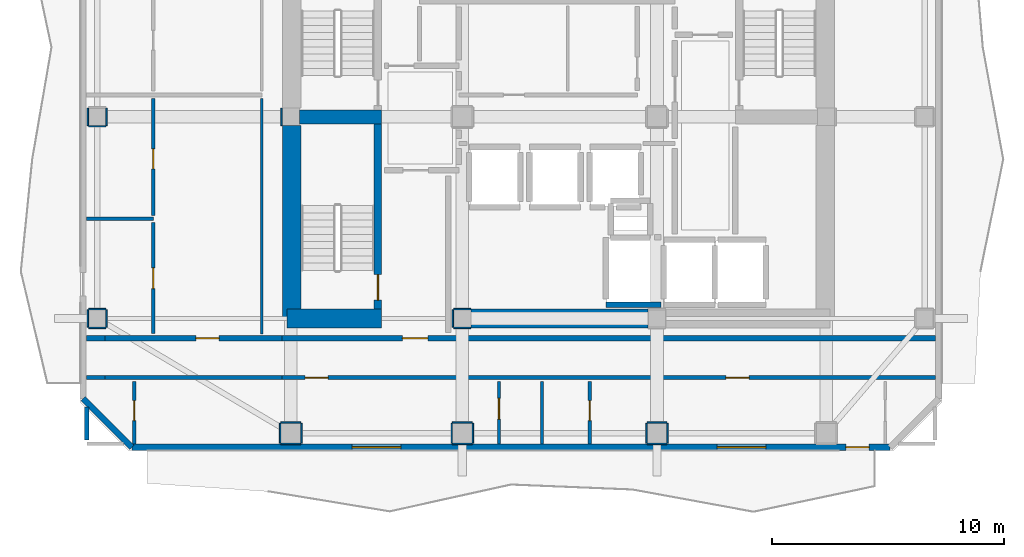
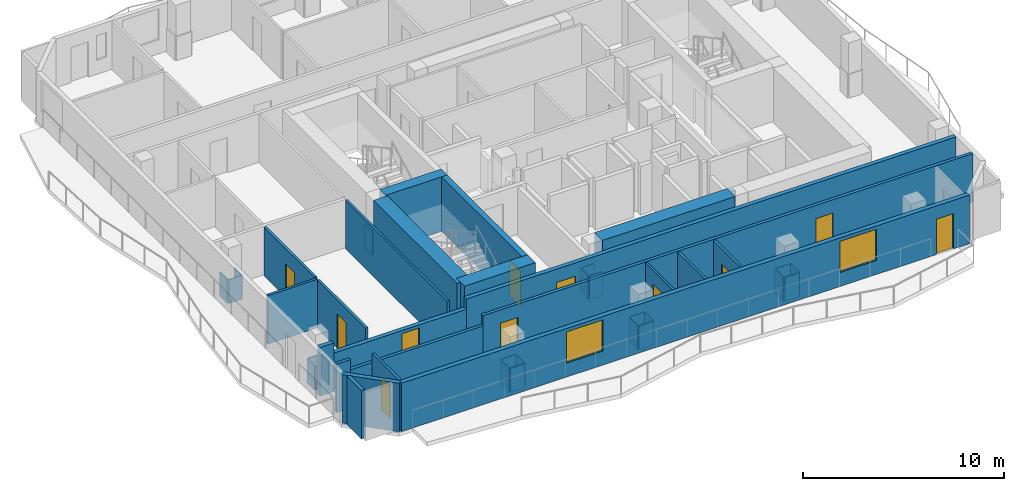
# One storey, part 2 of 10: 46 walls, 11 doors, 2 windows, 13 openings.
"""IFC4 building model written with IfcOpenShell, lengths in metres."""

from ifc_helpers import new_model, si_unit, direction, frame, frame_2d, origin, place, context, subcontext, project, spatial, rectangle, extrude, material, layer, layer_set, type_object, element, fill, save


model = new_model("IFC4")

# Units and contexts
model_context = context("Model", 3, precision=1e-05, world=origin(), true_north=direction((0.0, 1.0)))
body_context = subcontext(model_context, "Body", "Model", "MODEL_VIEW")
ifc_project = project(units=[si_unit("LENGTHUNIT", "METRE"), si_unit("AREAUNIT", "SQUARE_METRE"), si_unit("VOLUMEUNIT", "CUBIC_METRE"), si_unit("PLANEANGLEUNIT", "RADIAN"), si_unit("MASSUNIT", "GRAM", prefix="KILO")], contexts=[model_context])

# Site, building, storey
site_placement = place(None, origin())
site = spatial("IfcSite", under=ifc_project, at=site_placement, CompositionType="ELEMENT")
building_placement = place(site_placement, origin())
building = spatial("IfcBuilding", under=site, at=building_placement, Name="Solanera Arch Residences", CompositionType="ELEMENT")
storey_placement = place(building_placement, frame((0.0, 0.0, 254.52001953125)))
storey = spatial("IfcBuildingStorey", under=building, at=storey_placement, Name="L74", CompositionType="ELEMENT", Elevation=254.52001953125)

# Walls
ifc_material_1 = material(Name="Fire-Rated Gypsum Stud Partition", Category="gypsum")
ifc_layer_1 = layer(ifc_material_1, 0.06005859375)
ifc_layer_set_1 = layer_set([ifc_layer_1], Name="Fire-Rated Gypsum Stud Partition")
wall_type_1 = type_object("IfcWallType", Name="Column Acoustic Furring Wall 60", PredefinedType="PARTITIONING", material=ifc_layer_set_1)
for number, where, z_axis, x_axis, name in (
    (1, (20.425048828125, 21.593017578125, 0.0), (0.0, 0.0, 1.0), (1.0, 0.0, 0.0), "L74 Column Furring 1S"),
    (2, (20.425048828125, 22.406982421875, 0.0), (0.0, 0.0, 1.0), (1.0, 0.0, 0.0), "L74 Column Furring 1N"),
):
    element("IfcWall", number, at=place(storey_placement, frame(where, z_axis=z_axis, x_axis=x_axis)), inside=storey, type_object=wall_type_1, Name=name, PredefinedType="PARTITIONING", context=body_context, shape_type="SweptSolid", body=[
        extrude(rectangle(XDim=0.741943359375, YDim=0.06005859375, at=frame_2d((0.37109375, 0.0))), origin(), (0.0, 0.0, 1.0), 1.449951171875),
    ])
for number, where, z_axis, x_axis, name in (
    (3, (20.39306640625, 21.625, 0.0), (0.0, 0.0, 1.0), (0.0, 1.0, 0.0), "L74 Column Furring 1W"),
    (4, (12.992919921875, 30.324951171875, 0.0), (0.0, 0.0, 1.0), (0.0, 1.0, 0.0), "L74 Column Furring 5W"),
):
    element("IfcWall", number, at=place(storey_placement, frame(where, z_axis=z_axis, x_axis=x_axis)), inside=storey, type_object=wall_type_1, Name=name, PredefinedType="PARTITIONING", context=body_context, shape_type="SweptSolid", body=[
        extrude(rectangle(XDim=0.75, YDim=0.06005859375, at=frame_2d((0.375, 0.0))), origin(), (0.0, 0.0, 1.0), 1.449951171875),
    ])
for number, where, z_axis, x_axis, name in (
    (5, (12.97509765625, 16.593017578125, 0.0), (0.0, 0.0, 1.0), (1.0, 0.0, 0.0), "L74 Column Furring 9S"),
    (6, (12.97509765625, 17.507080078125, 0.0), (0.0, 0.0, 1.0), (1.0, 0.0, 0.0), "L74 Column Furring 9N"),
):
    element("IfcWall", number, at=place(storey_placement, frame(where, z_axis=z_axis, x_axis=x_axis)), inside=storey, type_object=wall_type_1, Name=name, PredefinedType="PARTITIONING", context=body_context, shape_type="SweptSolid", body=[
        extrude(rectangle(XDim=0.849853515625, YDim=0.06005859375, at=frame_2d((0.4248046875, 0.0))), origin(), (0.0, 0.0, 1.0), 1.449951171875),
    ])
for number, where, z_axis, x_axis, name in (
    (7, (12.943115234375, 16.625, 0.0), (0.0, 0.0, 1.0), (0.0, 1.0, 0.0), "L74 Column Furring 9W"),
    (8, (13.85693359375, 16.625, 0.0), (0.0, 0.0, 1.0), (0.0, 1.0, 0.0), "L74 Column Furring 9E"),
    (9, (20.375, 16.593017578125, 0.0), (0.0, 0.0, 1.0), (1.0, 0.0, 0.0), "L74 Column Furring 11S"),
    (10, (20.375, 17.507080078125, 0.0), (0.0, 0.0, 1.0), (1.0, 0.0, 0.0), "L74 Column Furring 11N"),
    (11, (20.343017578125, 16.625, 0.0), (0.0, 0.0, 1.0), (0.0, 1.0, 0.0), "L74 Column Furring 11W"),
    (12, (21.257080078125, 16.625, 0.0), (0.0, 0.0, 1.0), (0.0, 1.0, 0.0), "L74 Column Furring 11E"),
    (13, (28.77490234375, 16.593017578125, 0.0), (0.0, 0.0, 1.0), (1.0, 0.0, 0.0), "L74 Column Furring 13S"),
    (14, (28.77490234375, 17.507080078125, 0.0), (0.0, 0.0, 1.0), (1.0, 0.0, 0.0), "L74 Column Furring 13N"),
    (15, (28.742919921875, 16.625, 0.0), (0.0, 0.0, 1.0), (0.0, 1.0, 0.0), "L74 Column Furring 13W"),
    (16, (29.656982421875, 16.625, 0.0), (0.0, 0.0, 1.0), (0.0, 1.0, 0.0), "L74 Column Furring 13E"),
):
    element("IfcWall", number, at=place(storey_placement, frame(where, z_axis=z_axis, x_axis=x_axis)), inside=storey, type_object=wall_type_1, Name=name, PredefinedType="PARTITIONING", context=body_context, shape_type="SweptSolid", body=[
        extrude(rectangle(XDim=0.85009765625, YDim=0.06005859375, at=frame_2d((0.425048828125, 0.0))), origin(), (0.0, 0.0, 1.0), 1.449951171875),
    ])
for number, where, z_axis, x_axis, name in (
    (17, (4.675048828125, 21.593017578125, 0.0), (0.0, 0.0, 1.0), (1.0, 0.0, 0.0), "L74 Column Furring 17S"),
    (18, (4.675048828125, 22.406982421875, 0.0), (0.0, 0.0, 1.0), (1.0, 0.0, 0.0), "L74 Column Furring 17N"),
    (19, (4.64306640625, 21.625, 0.0), (0.0, 0.0, 1.0), (0.0, 1.0, 0.0), "L74 Column Furring 17W"),
    (20, (5.45703125, 21.625, 0.0), (0.0, 0.0, 1.0), (0.0, 1.0, 0.0), "L74 Column Furring 17E"),
    (21, (4.675048828125, 30.29296875, 0.0), (0.0, 0.0, 1.0), (1.0, 0.0, 0.0), "L74 Column Furring 19S"),
    (22, (4.64306640625, 30.324951171875, 0.0), (0.0, 0.0, 1.0), (0.0, 1.0, 0.0), "L74 Column Furring 19W"),
    (23, (5.45703125, 30.324951171875, 0.0), (0.0, 0.0, 1.0), (0.0, 1.0, 0.0), "L74 Column Furring 19E"),
):
    element("IfcWall", number, at=place(storey_placement, frame(where, z_axis=z_axis, x_axis=x_axis)), inside=storey, type_object=wall_type_1, Name=name, PredefinedType="PARTITIONING", context=body_context, shape_type="SweptSolid", body=[
        extrude(rectangle(XDim=0.75, YDim=0.06005859375, at=frame_2d((0.375, 0.0))), origin(), (0.0, 0.0, 1.0), 1.449951171875),
    ])

# Wall, opening, door
ifc_material_2 = material(Name="Concrete C40/50 (f'c = 45 MPa)", Category="concrete")
ifc_layer_2 = layer(ifc_material_2, 0.320068359375)
ifc_layer_set_2 = layer_set([ifc_layer_2], Name="Concrete C40/50 (f'c = 45 MPa)")
wall_type_2 = type_object("IfcWallType", Name="Core Shear Wall CW-320", PredefinedType="SHEAR", material=ifc_layer_set_2)
wall_1_placement = place(storey_placement, frame((17.159912109375, 22.39990234375, 0.0), z_axis=(0.0, 0.0, 1.0), x_axis=(0.0, 1.0, 0.0)))
wall_1 = element("IfcWall", 24, at=wall_1_placement, inside=storey, type_object=wall_type_2, Name="L74 Stair ST-T3 East Shear Wall", PredefinedType="SHEAR", context=body_context, shape_type="SweptSolid", body=[
    extrude(rectangle(XDim=8.0, YDim=0.320068359375, at=frame_2d((4.0, 0.0))), origin(), (0.0, 0.0, 1.0), 3.320068359375),
])
opening_1_placement = place(wall_1_placement, frame((0.389892578125, 0.0, 0.0)))
opening_1 = element("IfcOpeningElement", 25, at=opening_1_placement, cuts=wall_1, Name="Opening DF-01", PredefinedType="OPENING", context=body_context, shape_type="SweptSolid", body=[
    extrude(rectangle(XDim=1.10009765625, YDim=2.14990234375, at=frame_2d((0.550048828125, 1.074951171875))), frame((0.0, 0.169921875, 0.0), z_axis=(0.0, -1.0, 0.0), x_axis=(1.0, 0.0, 0.0)), (0.0, 0.0, 1.0), 0.3401),
])
ifc_material_3 = material(Name="Fire-Rated Architectural Hardwood", Category="wood")
door_type_1 = type_object("IfcDoorType", Name="Stair Exit Fire Door DF-01", OperationType="NOTDEFINED", PredefinedType="DOOR", material=ifc_material_3)
door_1_placement = place(opening_1_placement, origin())
door_1 = element("IfcDoor", 26, at=door_1_placement, inside=storey, type_object=door_type_1, Name="DR-L74-STAIR-ST-T3", OperationType="SINGLE_SWING_RIGHT", OverallHeight=2.14990234375, OverallWidth=1.10009765625, PredefinedType="DOOR", context=body_context, shape_type="SweptSolid", body=[
    extrude(rectangle(XDim=1.10009765625, YDim=2.14990234375, at=frame_2d((0.550048828125, 1.074951171875))), frame((0.0, 0.02490234375, 0.0), z_axis=(0.0, -1.0, 0.0), x_axis=(1.0, 0.0, 0.0)), (0.0, 0.0, 1.0), 0.050048828125),
])
fill(opening_1, door_1)

# Walls
ifc_material_4 = material(Name="Concrete C40/50 (f'c = 45 MPa)", Category="concrete")
ifc_layer_3 = layer(ifc_material_4, 0.60009765625)
ifc_layer_set_3 = layer_set([ifc_layer_3], Name="Concrete C40/50 (f'c = 45 MPa)")
wall_type_3 = type_object("IfcWallType", Name="Core Shear Wall CW-600", PredefinedType="SHEAR", material=ifc_layer_set_3)
wall_2_placement = place(storey_placement, frame((13.780029296875, 30.699951171875, 0.0), z_axis=(0.0, 0.0, 1.0), x_axis=(1.0, 0.0, 0.0)))
element("IfcWall", 27, at=wall_2_placement, inside=storey, type_object=wall_type_3, Name="L74 West Stair Divider Shear Wall", PredefinedType="SHEAR", context=body_context, shape_type="SweptSolid", body=[
    extrude(rectangle(XDim=3.5400390625, YDim=0.60009765625, at=frame_2d((1.77001953125, 0.0))), origin(), (0.0, 0.0, 1.0), 3.320068359375),
])
ifc_material_5 = material(Name="Concrete C40/50 (f'c = 45 MPa)", Category="concrete")
ifc_layer_4 = layer(ifc_material_5, 0.800048828125)
ifc_layer_set_4 = layer_set([ifc_layer_4], Name="Concrete C40/50 (f'c = 45 MPa)")
wall_type_4 = type_object("IfcWallType", Name="Core Shear Wall CW-800", PredefinedType="SHEAR", material=ifc_layer_set_4)
wall_3_placement = place(storey_placement, frame((13.43994140625, 22.0, 0.0), z_axis=(0.0, 0.0, 1.0), x_axis=(0.0, 1.0, 0.0)))
element("IfcWall", 28, at=wall_3_placement, inside=storey, type_object=wall_type_4, Name="L74 West Core South Shear Wall", PredefinedType="SHEAR", context=body_context, shape_type="SweptSolid", body=[
    extrude(rectangle(XDim=8.320068359375, YDim=0.800048828125, at=frame_2d((4.16015625, 0.0))), origin(), (0.0, 0.0, 1.0), 3.320068359375),
])
wall_4_placement = place(storey_placement, frame((13.239990234375, 22.0, 0.0), z_axis=(0.0, 0.0, 1.0), x_axis=(1.0, 0.0, 0.0)))
element("IfcWall", 29, at=wall_4_placement, inside=storey, type_object=wall_type_4, Name="L74 South-West Core Shear Wall", PredefinedType="SHEAR", context=body_context, shape_type="SweptSolid", body=[
    extrude(rectangle(XDim=4.080078125, YDim=0.800048828125, at=frame_2d((2.0400390625, 0.0))), origin(), (0.0, 0.0, 1.0), 3.320068359375),
])
wall_5_placement = place(storey_placement, frame((21.179931640625, 22.0, 0.0), z_axis=(0.0, 0.0, 1.0), x_axis=(1.0, 0.0, 0.0)))
element("IfcWall", 30, at=wall_5_placement, inside=storey, type_object=wall_type_4, Name="L74 Central South Core Shear Wall", PredefinedType="SHEAR", context=body_context, shape_type="SweptSolid", body=[
    extrude(rectangle(XDim=7.64013671875, YDim=0.800048828125, at=frame_2d((3.820068359375, 0.0))), origin(), (0.0, 0.0, 1.0), 3.320068359375),
])
ifc_material_6 = material(Name="Autoclaved Aerated Concrete Blockwork", Category="masonry")
ifc_layer_5 = layer(ifc_material_6, 0.179931640625)
ifc_layer_set_5 = layer_set([ifc_layer_5], Name="Autoclaved Aerated Concrete Blockwork")
wall_type_5 = type_object("IfcWallType", Name="Corridor Fire Partition 180", PredefinedType="PARTITIONING", material=ifc_layer_set_5)
wall_6_placement = place(storey_placement, frame((4.5869140625, 19.449951171875, 0.0), z_axis=(0.0, 0.0, 1.0), x_axis=(1.0, 0.0, 0.0)))
element("IfcWall", 31, at=wall_6_placement, inside=storey, type_object=wall_type_5, Name="L74 Interior Partition H6 1", PredefinedType="PARTITIONING", context=body_context, shape_type="SweptSolid", body=[
    extrude(rectangle(XDim=0.801025390625, YDim=0.179931640625, at=frame_2d((0.400390625, 0.0))), origin(), (0.0, 0.0, 1.0), 2.9599609375),
])
wall_7_placement = place(storey_placement, frame((5.387939453125, 19.449951171875, 0.0), z_axis=(0.0, 0.0, 1.0), x_axis=(1.0, 0.0, 0.0)))
element("IfcWall", 32, at=wall_7_placement, inside=storey, type_object=wall_type_5, Name="L74 Interior Partition H6 2", PredefinedType="PARTITIONING", context=body_context, shape_type="SweptSolid", body=[
    extrude(rectangle(XDim=7.6240234375, YDim=0.179931640625, at=frame_2d((3.81201171875, 0.0))), origin(), (0.0, 0.0, 1.0), 2.3369140625),
])

# Wall, openings, doors
wall_8_placement = place(storey_placement, frame((13.011962890625, 19.449951171875, 0.0), z_axis=(0.0, 0.0, 1.0), x_axis=(1.0, 0.0, 0.0)))
wall_8 = element("IfcWall", 33, at=wall_8_placement, inside=storey, type_object=wall_type_5, Name="L74 Interior Partition H6 3", PredefinedType="PARTITIONING", context=body_context, shape_type="SweptSolid", body=[
    extrude(rectangle(XDim=28.200927734375, YDim=0.179931640625, at=frame_2d((14.1005859375, 0.0))), origin(), (0.0, 0.0, 1.0), 2.9599609375),
])
opening_2_placement = place(wall_8_placement, frame((1.0029296875, 0.0, 0.0)))
opening_2 = element("IfcOpeningElement", 34, at=opening_2_placement, cuts=wall_8, Name="Opening DI-01", PredefinedType="OPENING", context=body_context, shape_type="SweptSolid", body=[
    extrude(rectangle(XDim=1.0, YDim=2.14990234375, at=frame_2d((0.5, 1.074951171875))), frame((0.0, 0.10009765625, 0.0), z_axis=(0.0, -1.0, 0.0), x_axis=(1.0, 0.0, 0.0)), (0.0, 0.0, 1.0), 0.1999),
])
opening_3_placement = place(wall_8_placement, frame((19.159912109375, 0.0, 0.0)))
opening_3 = element("IfcOpeningElement", 35, at=opening_3_placement, cuts=wall_8, Name="Opening DI-01", PredefinedType="OPENING", context=body_context, shape_type="SweptSolid", body=[
    extrude(rectangle(XDim=1.0, YDim=2.14990234375, at=frame_2d((0.5, 1.074951171875))), frame((0.0, 0.10009765625, 0.0), z_axis=(0.0, -1.0, 0.0), x_axis=(1.0, 0.0, 0.0)), (0.0, 0.0, 1.0), 0.1999),
])
ifc_material_7 = material(Name="Fire-Rated Architectural Hardwood", Category="wood")
door_type_2 = type_object("IfcDoorType", Name="Unit Entrance Fire Door DI-01", OperationType="NOTDEFINED", PredefinedType="DOOR", material=ifc_material_7)
door_2_placement = place(opening_2_placement, origin())
door_2 = element("IfcDoor", 36, at=door_2_placement, inside=storey, type_object=door_type_2, Name="DR-L74-IN-014", OperationType="SINGLE_SWING_LEFT", OverallHeight=2.14990234375, OverallWidth=1.0, PredefinedType="DOOR", context=body_context, shape_type="SweptSolid", body=[
    extrude(rectangle(XDim=1.0, YDim=2.14990234375, at=frame_2d((0.5, 1.074951171875))), frame((0.0, 0.02490234375, 0.0), z_axis=(0.0, -1.0, 0.0), x_axis=(1.0, 0.0, 0.0)), (0.0, 0.0, 1.0), 0.050048828125),
])
fill(opening_2, door_2)
door_3_placement = place(opening_3_placement, origin())
door_3 = element("IfcDoor", 37, at=door_3_placement, inside=storey, type_object=door_type_2, Name="DR-L74-IN-017", OperationType="SINGLE_SWING_RIGHT", OverallHeight=2.14990234375, OverallWidth=1.0, PredefinedType="DOOR", context=body_context, shape_type="SweptSolid", body=[
    extrude(rectangle(XDim=1.0, YDim=2.14990234375, at=frame_2d((0.5, 1.074951171875))), frame((0.0, 0.02490234375, 0.0), z_axis=(0.0, -1.0, 0.0), x_axis=(1.0, 0.0, 0.0)), (0.0, 0.0, 1.0), 0.050048828125),
])
fill(opening_3, door_3)

# Wall
wall_9_placement = place(storey_placement, frame((4.60009765625, 16.76806640625, 0.0), z_axis=(0.0, 0.0, 1.0), x_axis=(0.0, 1.0, 0.0)))
element("IfcWall", 38, at=wall_9_placement, inside=storey, type_object=wall_type_5, Name="L74 Interior Partition V6 1", PredefinedType="PARTITIONING", context=body_context, shape_type="SweptSolid", body=[
    extrude(rectangle(XDim=1.4208984375, YDim=0.179931640625, at=frame_2d((0.71044921875, 0.0))), origin(), (0.0, 0.0, 1.0), 2.9599609375),
])

# Wall, openings, door, windows
ifc_material_8 = material(Name="Precast Concrete C35/45", Category="concrete")
ifc_layer_6 = layer(ifc_material_8, 0.260009765625)
ifc_layer_set_6 = layer_set([ifc_layer_6], Name="Precast Concrete C35/45")
wall_type_6 = type_object("IfcWallType", Name="Exterior Wall Precast Masonry-Frame 260", PredefinedType="STANDARD", material=ifc_layer_set_6)
wall_10_placement = place(storey_placement, frame((39.2548828125, 16.445068359375, 0.0), z_axis=(0.0, 0.0, 1.0), x_axis=(-1.0, 0.0, 0.0)))
wall_10 = element("IfcWall", 39, at=wall_10_placement, inside=storey, type_object=wall_type_6, Name="L74 Tower Exterior Precast Masonry-Frame Wall S", PredefinedType="STANDARD", context=body_context, shape_type="SweptSolid", body=[
    extrude(rectangle(XDim=32.7099609375, YDim=0.260009765625, at=frame_2d((16.35498046875, 0.0))), origin(), (0.0, 0.0, 1.0), 2.9599609375),
])
opening_4_placement = place(wall_10_placement, frame((0.906982421875, 0.0, 0.0)))
opening_4 = element("IfcOpeningElement", 40, at=opening_4_placement, cuts=wall_10, Name="Opening DB-01", PredefinedType="OPENING", context=body_context, shape_type="SweptSolid", body=[
    extrude(rectangle(XDim=1.0, YDim=2.14990234375, at=frame_2d((0.5, 1.074951171875))), frame((0.0, 0.139892578125, 0.0), z_axis=(0.0, -1.0, 0.0), x_axis=(1.0, 0.0, 0.0)), (0.0, 0.0, 1.0), 0.28),
])
opening_5_placement = place(wall_10_placement, frame((21.10498046875, 0.0, 0.85009765625)))
opening_5 = element("IfcOpeningElement", 41, at=opening_5_placement, cuts=wall_10, Name="Opening W-04", PredefinedType="OPENING", context=body_context, shape_type="SweptSolid", body=[
    extrude(rectangle(XDim=2.10009765625, YDim=1.89990234375, at=frame_2d((1.050048828125, 0.949951171875))), frame((0.0, 0.139892578125, 0.0), z_axis=(0.0, -1.0, 0.0), x_axis=(1.0, 0.0, 0.0)), (0.0, 0.0, 1.0), 0.28),
])
opening_6_placement = place(wall_10_placement, frame((5.35498046875, 0.0, 0.85009765625)))
opening_6 = element("IfcOpeningElement", 42, at=opening_6_placement, cuts=wall_10, Name="Opening W-04", PredefinedType="OPENING", context=body_context, shape_type="SweptSolid", body=[
    extrude(rectangle(XDim=2.10009765625, YDim=1.89990234375, at=frame_2d((1.050048828125, 0.949951171875))), frame((0.0, 0.139892578125, 0.0), z_axis=(0.0, -1.0, 0.0), x_axis=(1.0, 0.0, 0.0)), (0.0, 0.0, 1.0), 0.28),
])
ifc_material_9 = material(Name="Anodised Aluminium Alloy 6063-T6", Category="aluminium")
door_type_3 = type_object("IfcDoorType", Name="Glazed Balcony Swing Door DB-01", OperationType="NOTDEFINED", PredefinedType="DOOR", material=ifc_material_9)
door_4_placement = place(opening_4_placement, origin())
door_4 = element("IfcDoor", 43, at=door_4_placement, inside=storey, type_object=door_type_3, Name="DR-L74-OUT-01", OperationType="SINGLE_SWING_RIGHT", OverallHeight=2.14990234375, OverallWidth=1.0, PredefinedType="DOOR", context=body_context, shape_type="SweptSolid", body=[
    extrude(rectangle(XDim=1.0, YDim=2.14990234375, at=frame_2d((0.5, 1.074951171875))), frame((0.0, 0.02490234375, 0.0), z_axis=(0.0, -1.0, 0.0), x_axis=(1.0, 0.0, 0.0)), (0.0, 0.0, 1.0), 0.050048828125),
])
fill(opening_4, door_4)
ifc_material_10 = material(Name="Double Glazed Low-E Laminated Glass", Category="glass")
window_type = type_object("IfcWindowType", Name="Punched Window W-04", PartitioningType="DOUBLE_PANEL_VERTICAL", PredefinedType="WINDOW", material=ifc_material_10)
window_1_placement = place(opening_5_placement, origin())
window_1 = element("IfcWindow", 44, at=window_1_placement, inside=storey, type_object=window_type, Name="L74 7401-LIV Punched Window", OverallHeight=1.89990234375, OverallWidth=2.10009765625, PartitioningType="SINGLE_PANEL", PredefinedType="WINDOW", context=body_context, shape_type="SweptSolid", body=[
    extrude(rectangle(XDim=2.10009765625, YDim=1.89990234375, at=frame_2d((1.050048828125, 0.949951171875))), frame((0.0, 0.030029296875, 0.0), z_axis=(0.0, -1.0, 0.0), x_axis=(1.0, 0.0, 0.0)), (0.0, 0.0, 1.0), 0.06005859375),
])
fill(opening_5, window_1)
window_2_placement = place(opening_6_placement, origin())
window_2 = element("IfcWindow", 45, at=window_2_placement, inside=storey, type_object=window_type, Name="L74 7402-LIV Punched Window", OverallHeight=1.89990234375, OverallWidth=2.10009765625, PartitioningType="SINGLE_PANEL", PredefinedType="WINDOW", context=body_context, shape_type="SweptSolid", body=[
    extrude(rectangle(XDim=2.10009765625, YDim=1.89990234375, at=frame_2d((1.050048828125, 0.949951171875))), frame((0.0, 0.030029296875, 0.0), z_axis=(0.0, -1.0, 0.0), x_axis=(1.0, 0.0, 0.0)), (0.0, 0.0, 1.0), 0.06005859375),
])
fill(opening_6, window_2)

# Walls
wall_11_placement = place(storey_placement, frame((6.544921875, 16.445068359375, 0.0), z_axis=(0.0, 0.0, 1.0), x_axis=(-0.707106781187, 0.707106781187, 0.0)))
element("IfcWall", 46, at=wall_11_placement, inside=storey, type_object=wall_type_6, Name="L74 Tower Exterior Precast Masonry-Frame Wall CH7", PredefinedType="STANDARD", context=body_context, shape_type="SweptSolid", body=[
    extrude(rectangle(XDim=2.9697265625, YDim=0.260009765625, at=frame_2d((1.48486328125, 0.0))), origin(), (0.0, 0.0, 1.0), 2.9599609375),
])
ifc_material_11 = material(Name="Autoclaved Aerated Concrete Blockwork", Category="masonry")
ifc_layer_7 = layer(ifc_material_11, 0.239990234375)
ifc_layer_set_7 = layer_set([ifc_layer_7], Name="Autoclaved Aerated Concrete Blockwork")
wall_type_7 = type_object("IfcWallType", Name="Shaft Wall Fire-Rated 240", PredefinedType="PARTITIONING", material=ifc_layer_set_7)
wall_12_placement = place(storey_placement, frame((27.0, 22.60009765625, 0.0), z_axis=(0.0, 0.0, 1.0), x_axis=(1.0, 0.0, 0.0)))
element("IfcWall", 47, at=wall_12_placement, inside=storey, type_object=wall_type_7, Name="L74 Lift SVL-1 Hoistway Wall S", PredefinedType="PARTITIONING", context=body_context, shape_type="SweptSolid", body=[
    extrude(rectangle(XDim=2.3720703125, YDim=0.239990234375, at=frame_2d((1.18603515625, 0.0))), origin(), (0.0, 0.0, 1.0), 2.9599609375),
])
wall_13_placement = place(storey_placement, frame((4.5869140625, 21.14990234375, 0.0), z_axis=(0.0, 0.0, 1.0), x_axis=(1.0, 0.0, 0.0)))
element("IfcWall", 48, at=wall_13_placement, inside=storey, type_object=wall_type_7, Name="L74 Interior Partition H1 1", PredefinedType="PARTITIONING", context=body_context, shape_type="SweptSolid", body=[
    extrude(rectangle(XDim=0.801025390625, YDim=0.239990234375, at=frame_2d((0.400390625, 0.0))), origin(), (0.0, 0.0, 1.0), 2.9599609375),
])

# Wall, opening, door
wall_14_placement = place(storey_placement, frame((5.387939453125, 21.14990234375, 0.0), z_axis=(0.0, 0.0, 1.0), x_axis=(1.0, 0.0, 0.0)))
wall_14 = element("IfcWall", 49, at=wall_14_placement, inside=storey, type_object=wall_type_7, Name="L74 Interior Partition H1 2", PredefinedType="PARTITIONING", context=body_context, shape_type="SweptSolid", body=[
    extrude(rectangle(XDim=7.6240234375, YDim=0.239990234375, at=frame_2d((3.81201171875, 0.0))), origin(), (0.0, 0.0, 1.0), 2.3369140625),
])
opening_7_placement = place(wall_14_placement, frame((3.9208984375, 0.0, 0.0)))
opening_7 = element("IfcOpeningElement", 50, at=opening_7_placement, cuts=wall_14, Name="Opening DI-01", PredefinedType="OPENING", context=body_context, shape_type="SweptSolid", body=[
    extrude(rectangle(XDim=1.0, YDim=2.14990234375, at=frame_2d((0.5, 1.074951171875))), frame((0.0, 0.1298828125, 0.0), z_axis=(0.0, -1.0, 0.0), x_axis=(1.0, 0.0, 0.0)), (0.0, 0.0, 1.0), 0.26),
])
door_5_placement = place(opening_7_placement, origin())
door_5 = element("IfcDoor", 51, at=door_5_placement, inside=storey, type_object=door_type_2, Name="DR-L74-IN-028", OperationType="SINGLE_SWING_LEFT", OverallHeight=2.14990234375, OverallWidth=1.0, PredefinedType="DOOR", context=body_context, shape_type="SweptSolid", body=[
    extrude(rectangle(XDim=1.0, YDim=2.14990234375, at=frame_2d((0.5, 1.074951171875))), frame((0.0, 0.02490234375, 0.0), z_axis=(0.0, -1.0, 0.0), x_axis=(1.0, 0.0, 0.0)), (0.0, 0.0, 1.0), 0.050048828125),
])
fill(opening_7, door_5)

wall_15_placement = place(storey_placement, frame((13.011962890625, 21.14990234375, 0.0), z_axis=(0.0, 0.0, 1.0), x_axis=(1.0, 0.0, 0.0)))
wall_15 = element("IfcWall", 52, at=wall_15_placement, inside=storey, type_object=wall_type_7, Name="L74 Interior Partition H1 3", PredefinedType="PARTITIONING", context=body_context, shape_type="SweptSolid", body=[
    extrude(rectangle(XDim=28.200927734375, YDim=0.239990234375, at=frame_2d((14.1005859375, 0.0))), origin(), (0.0, 0.0, 1.0), 2.9599609375),
])
opening_8_placement = place(wall_15_placement, frame((5.197998046875, 0.0, 0.0)))
opening_8 = element("IfcOpeningElement", 53, at=opening_8_placement, cuts=wall_15, Name="Opening DF-02", PredefinedType="OPENING", context=body_context, shape_type="SweptSolid", body=[
    extrude(rectangle(XDim=1.10009765625, YDim=2.14990234375, at=frame_2d((0.550048828125, 1.074951171875))), frame((0.0, 0.1298828125, 0.0), z_axis=(0.0, -1.0, 0.0), x_axis=(1.0, 0.0, 0.0)), (0.0, 0.0, 1.0), 0.26),
])
ifc_material_12 = material(Name="Fire-Rated Architectural Hardwood", Category="wood")
door_type_4 = type_object("IfcDoorType", Name="Firefighting Lobby Fire Door DF-02", OperationType="NOTDEFINED", PredefinedType="DOOR", material=ifc_material_12)
door_6_placement = place(opening_8_placement, origin())
door_6 = element("IfcDoor", 54, at=door_6_placement, inside=storey, type_object=door_type_4, Name="DR-L74-IN-008", OperationType="SINGLE_SWING_LEFT", OverallHeight=2.14990234375, OverallWidth=1.10009765625, PredefinedType="DOOR", context=body_context, shape_type="SweptSolid", body=[
    extrude(rectangle(XDim=1.10009765625, YDim=2.14990234375, at=frame_2d((0.550048828125, 1.074951171875))), frame((0.0, 0.02490234375, 0.0), z_axis=(0.0, -1.0, 0.0), x_axis=(1.0, 0.0, 0.0)), (0.0, 0.0, 1.0), 0.050048828125),
])
fill(opening_8, door_6)

# Wall
ifc_material_13 = material(Name="Fire-Rated Gypsum Stud Partition", Category="gypsum")
ifc_layer_8 = layer(ifc_material_13, 0.1201171875)
ifc_layer_set_8 = layer_set([ifc_layer_8], Name="Fire-Rated Gypsum Stud Partition")
wall_type_8 = type_object("IfcWallType", Name="Unit Drywall Partition 120", PredefinedType="PARTITIONING", material=ifc_layer_set_8)
wall_16_placement = place(storey_placement, frame((12.14990234375, 21.337890625, 0.0), z_axis=(0.0, 0.0, 1.0), x_axis=(0.0, 1.0, 0.0)))
element("IfcWall", 55, at=wall_16_placement, inside=storey, type_object=wall_type_8, Name="L74 Interior Partition V16 1", PredefinedType="PARTITIONING", context=body_context, shape_type="SweptSolid", body=[
    extrude(rectangle(XDim=10.154052734375, YDim=0.1201171875, at=frame_2d((5.0771484375, 0.0))), origin(), (0.0, 0.0, 1.0), 2.9599609375),
])

# Wall, opening, door
wall_17_placement = place(storey_placement, frame((22.3798828125, 16.5869140625, 0.0), z_axis=(0.0, 0.0, 1.0), x_axis=(0.0, 1.0, 0.0)))
wall_17 = element("IfcWall", 56, at=wall_17_placement, inside=storey, type_object=wall_type_8, Name="L74 Interior Partition V18", PredefinedType="PARTITIONING", context=body_context, shape_type="SweptSolid", body=[
    extrude(rectangle(XDim=2.705078125, YDim=0.1201171875, at=frame_2d((1.3525390625, 0.0))), origin(), (0.0, 0.0, 1.0), 2.9599609375),
])
opening_9_placement = place(wall_17_placement, frame((1.068115234375, 0.0, 0.0)))
opening_9 = element("IfcOpeningElement", 57, at=opening_9_placement, cuts=wall_17, Name="Opening DI-02", PredefinedType="OPENING", context=body_context, shape_type="SweptSolid", body=[
    extrude(rectangle(XDim=0.89990234375, YDim=2.10009765625, at=frame_2d((0.449951171875, 1.050048828125))), frame((0.0, 0.070068359375, 0.0), z_axis=(0.0, -1.0, 0.0), x_axis=(1.0, 0.0, 0.0)), (0.0, 0.0, 1.0), 0.1401),
])
ifc_material_14 = material(Name="Fire-Rated Architectural Hardwood", Category="wood")
door_type_5 = type_object("IfcDoorType", Name="Suite Room Swing Door DI-02", OperationType="NOTDEFINED", PredefinedType="DOOR", material=ifc_material_14)
door_7_placement = place(opening_9_placement, origin())
door_7 = element("IfcDoor", 58, at=door_7_placement, inside=storey, type_object=door_type_5, Name="DR-L74-IN-016", OperationType="SINGLE_SWING_LEFT", OverallHeight=2.10009765625, OverallWidth=0.89990234375, PredefinedType="DOOR", context=body_context, shape_type="SweptSolid", body=[
    extrude(rectangle(XDim=0.89990234375, YDim=2.10009765625, at=frame_2d((0.449951171875, 1.050048828125))), frame((0.0, 0.02490234375, 0.0), z_axis=(0.0, -1.0, 0.0), x_axis=(1.0, 0.0, 0.0)), (0.0, 0.0, 1.0), 0.050048828125),
])
fill(opening_9, door_7)

# Wall
ifc_material_15 = material(Name="Autoclaved Aerated Concrete Blockwork", Category="masonry")
ifc_layer_9 = layer(ifc_material_15, 0.139892578125)
ifc_layer_set_9 = layer_set([ifc_layer_9], Name="Autoclaved Aerated Concrete Blockwork")
wall_type_9 = type_object("IfcWallType", Name="Wet-Room Partition 140", PredefinedType="PARTITIONING", material=ifc_layer_set_9)
wall_18_placement = place(storey_placement, frame((4.5869140625, 26.300048828125, 0.0), z_axis=(0.0, 0.0, 1.0), x_axis=(1.0, 0.0, 0.0)))
element("IfcWall", 59, at=wall_18_placement, inside=storey, type_object=wall_type_9, Name="L74 Interior Partition H15", PredefinedType="PARTITIONING", context=body_context, shape_type="SweptSolid", body=[
    extrude(rectangle(XDim=2.882080078125, YDim=0.139892578125, at=frame_2d((1.44091796875, 0.0))), origin(), (0.0, 0.0, 1.0), 2.9599609375),
])

# Wall, opening, door
wall_19_placement = place(storey_placement, frame((6.64990234375, 16.5869140625, 0.0), z_axis=(0.0, 0.0, 1.0), x_axis=(0.0, 1.0, 0.0)))
wall_19 = element("IfcWall", 60, at=wall_19_placement, inside=storey, type_object=wall_type_9, Name="L74 Interior Partition V11", PredefinedType="PARTITIONING", context=body_context, shape_type="SweptSolid", body=[
    extrude(rectangle(XDim=2.695068359375, YDim=0.139892578125, at=frame_2d((1.34765625, 0.0))), origin(), (0.0, 0.0, 1.0), 2.9599609375),
])
opening_10_placement = place(wall_19_placement, frame((1.008056640625, 0.0, 0.0)))
opening_10 = element("IfcOpeningElement", 61, at=opening_10_placement, cuts=wall_19, Name="Opening DI-05", PredefinedType="OPENING", context=body_context, shape_type="SweptSolid", body=[
    extrude(rectangle(XDim=0.860107421875, YDim=2.02001953125, at=frame_2d((0.43017578125, 1.010009765625))), frame((0.0, 0.079833984375, 0.0), z_axis=(0.0, -1.0, 0.0), x_axis=(1.0, 0.0, 0.0)), (0.0, 0.0, 1.0), 0.1599),
])
ifc_material_16 = material(Name="Fire-Rated Architectural Hardwood", Category="wood")
door_type_6 = type_object("IfcDoorType", Name="Bathroom Swing Door DI-05", OperationType="NOTDEFINED", PredefinedType="DOOR", material=ifc_material_16)
door_8_placement = place(opening_10_placement, origin())
door_8 = element("IfcDoor", 62, at=door_8_placement, inside=storey, type_object=door_type_6, Name="DR-L74-IN-015", OperationType="SINGLE_SWING_RIGHT", OverallHeight=2.02001953125, OverallWidth=0.860107421875, PredefinedType="DOOR", context=body_context, shape_type="SweptSolid", body=[
    extrude(rectangle(XDim=0.860107421875, YDim=2.02001953125, at=frame_2d((0.43017578125, 1.010009765625))), frame((0.0, 0.02490234375, 0.0), z_axis=(0.0, -1.0, 0.0), x_axis=(1.0, 0.0, 0.0)), (0.0, 0.0, 1.0), 0.050048828125),
])
fill(opening_10, door_8)

wall_20_placement = place(storey_placement, frame((7.468994140625, 21.347900390625, 0.0), z_axis=(0.0, 0.0, 1.0), x_axis=(0.0, 1.0, 0.0)))
wall_20 = element("IfcWall", 63, at=wall_20_placement, inside=storey, type_object=wall_type_9, Name="L74 Interior Partition V12 1", PredefinedType="PARTITIONING", context=body_context, shape_type="SweptSolid", body=[
    extrude(rectangle(XDim=4.80419921875, YDim=0.139892578125, at=frame_2d((2.402099609375, 0.0))), origin(), (0.0, 0.0, 1.0), 2.9599609375),
])
opening_11_placement = place(wall_20_placement, frame((1.93994140625, 0.0, 0.0)))
opening_11 = element("IfcOpeningElement", 64, at=opening_11_placement, cuts=wall_20, Name="Opening DI-02", PredefinedType="OPENING", context=body_context, shape_type="SweptSolid", body=[
    extrude(rectangle(XDim=0.89990234375, YDim=2.10009765625, at=frame_2d((0.449951171875, 1.050048828125))), frame((0.0, 0.079833984375, 0.0), z_axis=(0.0, -1.0, 0.0), x_axis=(1.0, 0.0, 0.0)), (0.0, 0.0, 1.0), 0.1599),
])
door_9_placement = place(opening_11_placement, origin())
door_9 = element("IfcDoor", 65, at=door_9_placement, inside=storey, type_object=door_type_5, Name="DR-L74-IN-029", OperationType="SINGLE_SWING_RIGHT", OverallHeight=2.10009765625, OverallWidth=0.89990234375, PredefinedType="DOOR", context=body_context, shape_type="SweptSolid", body=[
    extrude(rectangle(XDim=0.89990234375, YDim=2.10009765625, at=frame_2d((0.449951171875, 1.050048828125))), frame((0.0, 0.02490234375, 0.0), z_axis=(0.0, -1.0, 0.0), x_axis=(1.0, 0.0, 0.0)), (0.0, 0.0, 1.0), 0.050048828125),
])
fill(opening_11, door_9)

wall_21_placement = place(storey_placement, frame((7.468994140625, 26.447998046875, 0.0), z_axis=(0.0, 0.0, 1.0), x_axis=(0.0, 1.0, 0.0)))
wall_21 = element("IfcWall", 66, at=wall_21_placement, inside=storey, type_object=wall_type_9, Name="L74 Interior Partition V12 2", PredefinedType="PARTITIONING", context=body_context, shape_type="SweptSolid", body=[
    extrude(rectangle(XDim=5.033935546875, YDim=0.139892578125, at=frame_2d((2.51708984375, 0.0))), origin(), (0.0, 0.0, 1.0), 2.9599609375),
])
opening_12_placement = place(wall_21_placement, frame((2.009033203125, 0.0, 0.0)))
opening_12 = element("IfcOpeningElement", 67, at=opening_12_placement, cuts=wall_21, Name="Opening DI-05", PredefinedType="OPENING", context=body_context, shape_type="SweptSolid", body=[
    extrude(rectangle(XDim=0.860107421875, YDim=2.02001953125, at=frame_2d((0.43017578125, 1.010009765625))), frame((0.0, 0.079833984375, 0.0), z_axis=(0.0, -1.0, 0.0), x_axis=(1.0, 0.0, 0.0)), (0.0, 0.0, 1.0), 0.1599),
])
door_10_placement = place(opening_12_placement, origin())
door_10 = element("IfcDoor", 68, at=door_10_placement, inside=storey, type_object=door_type_6, Name="DR-L74-IN-030", OperationType="SINGLE_SWING_LEFT", OverallHeight=2.02001953125, OverallWidth=0.860107421875, PredefinedType="DOOR", context=body_context, shape_type="SweptSolid", body=[
    extrude(rectangle(XDim=0.860107421875, YDim=2.02001953125, at=frame_2d((0.43017578125, 1.010009765625))), frame((0.0, 0.02490234375, 0.0), z_axis=(0.0, -1.0, 0.0), x_axis=(1.0, 0.0, 0.0)), (0.0, 0.0, 1.0), 0.050048828125),
])
fill(opening_12, door_10)

# Wall
wall_22_placement = place(storey_placement, frame((24.243896484375, 16.5869140625, 0.0), z_axis=(0.0, 0.0, 1.0), x_axis=(0.0, 1.0, 0.0)))
element("IfcWall", 69, at=wall_22_placement, inside=storey, type_object=wall_type_9, Name="L74 Interior Partition V14", PredefinedType="PARTITIONING", context=body_context, shape_type="SweptSolid", body=[
    extrude(rectangle(XDim=2.695068359375, YDim=0.139892578125, at=frame_2d((1.34765625, 0.0))), origin(), (0.0, 0.0, 1.0), 2.9599609375),
])

# Wall, opening, door
wall_23_placement = place(storey_placement, frame((26.2939453125, 16.5869140625, 0.0), z_axis=(0.0, 0.0, 1.0), x_axis=(0.0, 1.0, 0.0)))
wall_23 = element("IfcWall", 70, at=wall_23_placement, inside=storey, type_object=wall_type_9, Name="L74 Interior Partition V15", PredefinedType="PARTITIONING", context=body_context, shape_type="SweptSolid", body=[
    extrude(rectangle(XDim=2.695068359375, YDim=0.139892578125, at=frame_2d((1.34765625, 0.0))), origin(), (0.0, 0.0, 1.0), 2.9599609375),
])
opening_13_placement = place(wall_23_placement, frame((1.008056640625, 0.0, 0.0)))
opening_13 = element("IfcOpeningElement", 71, at=opening_13_placement, cuts=wall_23, Name="Opening DI-05", PredefinedType="OPENING", context=body_context, shape_type="SweptSolid", body=[
    extrude(rectangle(XDim=0.860107421875, YDim=2.02001953125, at=frame_2d((0.43017578125, 1.010009765625))), frame((0.0, 0.079833984375, 0.0), z_axis=(0.0, -1.0, 0.0), x_axis=(1.0, 0.0, 0.0)), (0.0, 0.0, 1.0), 0.1599),
])
door_11_placement = place(opening_13_placement, origin())
door_11 = element("IfcDoor", 72, at=door_11_placement, inside=storey, type_object=door_type_6, Name="DR-L74-IN-018", OperationType="SINGLE_SWING_LEFT", OverallHeight=2.02001953125, OverallWidth=0.860107421875, PredefinedType="DOOR", context=body_context, shape_type="SweptSolid", body=[
    extrude(rectangle(XDim=0.860107421875, YDim=2.02001953125, at=frame_2d((0.43017578125, 1.010009765625))), frame((0.0, 0.02490234375, 0.0), z_axis=(0.0, -1.0, 0.0), x_axis=(1.0, 0.0, 0.0)), (0.0, 0.0, 1.0), 0.050048828125),
])
fill(opening_13, door_11)

save(model, "model.ifc")
